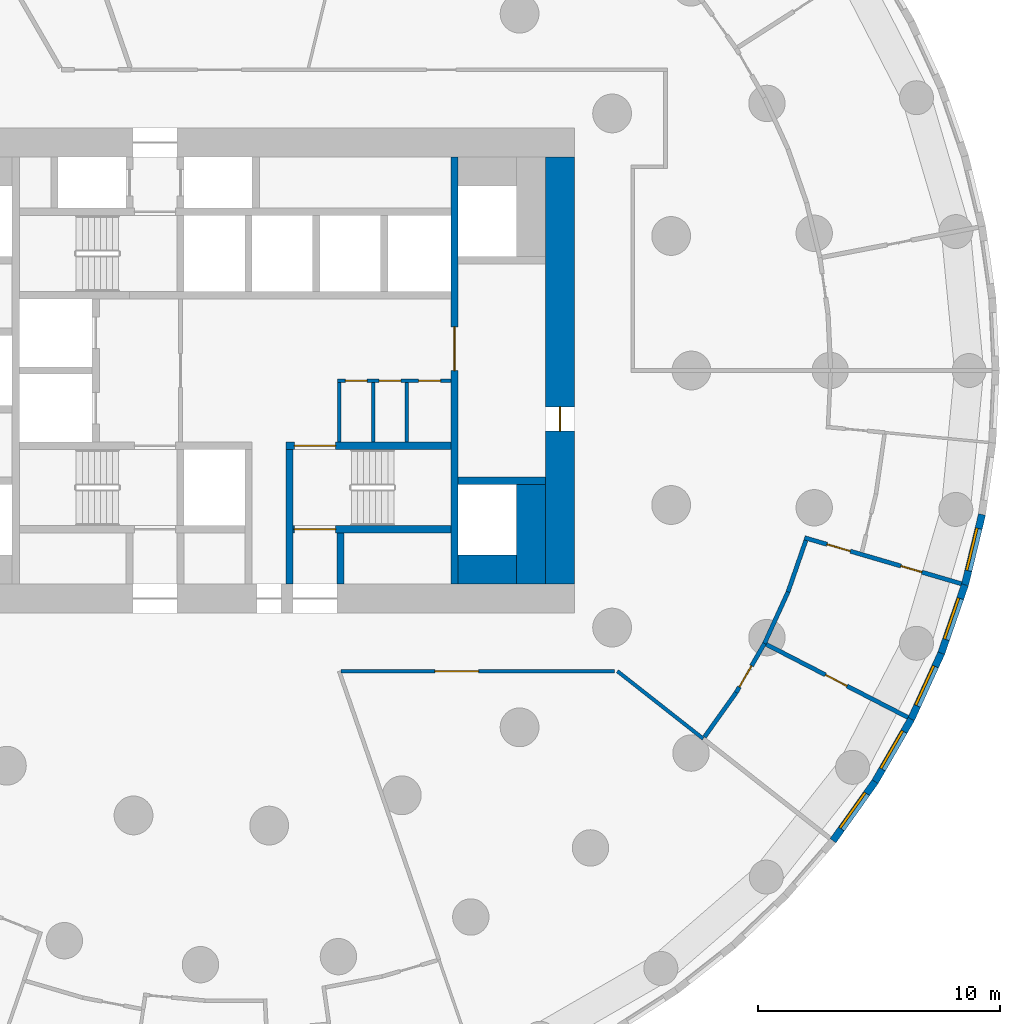
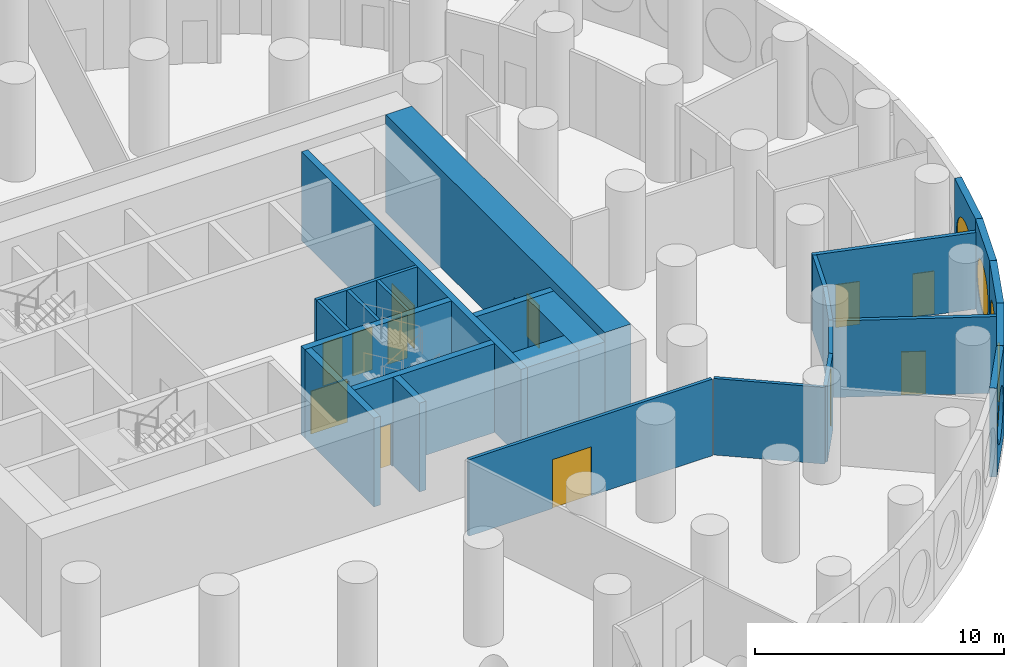
# One storey, part 5 of 12: 26 walls, 12 doors, 5 windows, 17 openings.
"""IFC4 building model written with IfcOpenShell, lengths in metres."""

from ifc_helpers import new_model, si_unit, direction, frame, frame_2d, origin, origin_2d, place, context, subcontext, project, spatial, rectangle, circle, extrude, material, layer, layer_set, type_object, element, fill, save


model = new_model("IFC4")

# Units and contexts
model_context = context("Model", 3, precision=1e-05, world=origin(), true_north=direction((0.0, 1.0)))
body_context = subcontext(model_context, "Body", "Model", "MODEL_VIEW")
ifc_project = project(units=[si_unit("LENGTHUNIT", "METRE"), si_unit("AREAUNIT", "SQUARE_METRE"), si_unit("VOLUMEUNIT", "CUBIC_METRE"), si_unit("PLANEANGLEUNIT", "RADIAN"), si_unit("MASSUNIT", "GRAM", prefix="KILO")], contexts=[model_context])

# Site, building, storey
site_placement = place(None, origin())
site = spatial("IfcSite", under=ifc_project, at=site_placement, CompositionType="ELEMENT")
building_placement = place(site_placement, origin())
building = spatial("IfcBuilding", under=site, at=building_placement, Name="Tracery Tower", CompositionType="ELEMENT")
storey_placement = place(building_placement, frame((0.0, 0.0, 13.800048828125)))
storey = spatial("IfcBuildingStorey", under=building, at=storey_placement, Name="L02", CompositionType="ELEMENT", Elevation=13.800048828125)

# Wall
ifc_material_1 = material(Name="Plasterboard on steel studs", Category="steel")
ifc_layer_1 = layer(ifc_material_1, 0.175048828125)
ifc_layer_set_1 = layer_set([ifc_layer_1], Name="Compartment partition 175")
wall_type_1 = type_object("IfcWallType", Name="Compartment partition 175", PredefinedType="PARTITIONING", material=ifc_layer_set_1)
wall_1_placement = place(storey_placement, frame((19.361572265625, -15.11474609375, 0.0), z_axis=(0.0, 0.0, 1.0), x_axis=(0.580026485713, 0.814597615925, 0.0)))
element("IfcWall", 1, at=wall_1_placement, inside=storey, type_object=wall_type_1, Name="Compartment partition 175", PredefinedType="PARTITIONING", context=body_context, shape_type="SweptSolid", body=[
    extrude(rectangle(XDim=2.250244140625, YDim=0.175048828125, at=frame_2d((1.125, 0.0))), origin(), (0.0, 0.0, 1.0), 3.75),
])

# Wall, opening, door
wall_2_placement = place(storey_placement, frame((21.835693359375, -11.257080078125, 0.0), z_axis=(0.0, 0.0, 1.0), x_axis=(-0.500002679963, -0.866023856502, 0.0)))
wall_2 = element("IfcWall", 2, at=wall_2_placement, inside=storey, type_object=wall_type_1, Name="Compartment partition 175", PredefinedType="PARTITIONING", context=body_context, shape_type="SweptSolid", body=[
    extrude(rectangle(XDim=2.337890625, YDim=0.175048828125, at=frame_2d((1.1689453125, 0.0))), origin(), (0.0, 0.0, 1.0), 3.75),
])
opening_1_placement = place(wall_2_placement, frame((1.069091796875, 0.0, 0.0)))
opening_1 = element("IfcOpeningElement", 3, at=opening_1_placement, cuts=wall_2, Name="Opening SB-L02-31", PredefinedType="OPENING", context=body_context, shape_type="SweptSolid", body=[
    extrude(rectangle(XDim=1.0, YDim=2.10009765625, at=frame_2d((0.5, 1.050048828125))), frame((0.0, 0.08740234375, 0.0), z_axis=(0.0, -1.0, 0.0), x_axis=(1.0, 0.0, 0.0)), (0.0, 0.0, 1.0), 0.175048828125),
])
ifc_material_2 = material(Name="Steel fire door", Category="steel")
door_type_1 = type_object("IfcDoorType", Name="Kitchen door 1000", OperationType="NOTDEFINED", PredefinedType="DOOR", material=ifc_material_2)
door_1_placement = place(opening_1_placement, origin())
door_1 = element("IfcDoor", 4, at=door_1_placement, inside=storey, type_object=door_type_1, Name="Kitchen door 1000", OperationType="SINGLE_SWING_RIGHT", OverallHeight=2.10009765625, OverallWidth=1.0, PredefinedType="DOOR", context=body_context, shape_type="SweptSolid", body=[
    extrude(rectangle(XDim=1.0, YDim=2.10009765625, at=frame_2d((0.5, 1.050048828125))), frame((0.0, 0.02490234375, 0.0), z_axis=(0.0, -1.0, 0.0), x_axis=(1.0, 0.0, 0.0)), (0.0, 0.0, 1.0), 0.050048828125),
])
fill(opening_1, door_1)

# Walls
wall_3_placement = place(storey_placement, frame((21.835693359375, -11.257080078125, 0.0), z_axis=(0.0, 0.0, 1.0), x_axis=(0.415438886862, 0.909621092149, 0.0)))
element("IfcWall", 5, at=wall_3_placement, inside=storey, type_object=wall_type_1, Name="Compartment partition 175", PredefinedType="PARTITIONING", context=body_context, shape_type="SweptSolid", body=[
    extrude(rectangle(XDim=2.337646484375, YDim=0.175048828125, at=frame_2d((1.1689453125, 0.0))), origin(), (0.0, 0.0, 1.0), 3.75),
])
wall_4_placement = place(storey_placement, frame((22.806884765625, -9.130615234375, 0.0), z_axis=(0.0, 0.0, 1.0), x_axis=(0.327077029882, 0.944997680697, 0.0)))
element("IfcWall", 6, at=wall_4_placement, inside=storey, type_object=wall_type_1, Name="Compartment partition 175", PredefinedType="PARTITIONING", context=body_context, shape_type="SweptSolid", body=[
    extrude(rectangle(XDim=2.25048828125, YDim=0.175048828125, at=frame_2d((1.125244140625, 0.0))), origin(), (0.0, 0.0, 1.0), 3.75),
])

# Wall, opening, door
wall_5_placement = place(storey_placement, frame((27.753173828125, -14.307861328125, 0.0), z_axis=(0.0, 0.0, 1.0), x_axis=(-0.888814046661, 0.458268033424, 0.0)))
wall_5 = element("IfcWall", 7, at=wall_5_placement, inside=storey, type_object=wall_type_1, Name="Compartment partition 175", PredefinedType="PARTITIONING", context=body_context, shape_type="SweptSolid", body=[
    extrude(rectangle(XDim=6.56982421875, YDim=0.175048828125, at=frame_2d((3.284912109375, 0.0))), origin(), (0.0, 0.0, 1.0), 3.75),
])
opening_2_placement = place(wall_5_placement, frame((2.828857421875, 0.0, 0.0)))
opening_2 = element("IfcOpeningElement", 8, at=opening_2_placement, cuts=wall_5, Name="Opening SB-L02-35", PredefinedType="OPENING", context=body_context, shape_type="SweptSolid", body=[
    extrude(rectangle(XDim=1.0, YDim=2.10009765625, at=frame_2d((0.5, 1.050048828125))), frame((0.0, 0.08740234375, 0.0), z_axis=(0.0, -1.0, 0.0), x_axis=(1.0, 0.0, 0.0)), (0.0, 0.0, 1.0), 0.175048828125),
])
door_2_placement = place(opening_2_placement, origin())
door_2 = element("IfcDoor", 9, at=door_2_placement, inside=storey, type_object=door_type_1, Name="Kitchen door 1000", OperationType="SINGLE_SWING_LEFT", OverallHeight=2.10009765625, OverallWidth=1.0, PredefinedType="DOOR", context=body_context, shape_type="SweptSolid", body=[
    extrude(rectangle(XDim=1.0, YDim=2.10009765625, at=frame_2d((0.5, 1.050048828125))), frame((0.0, 0.02490234375, 0.0), z_axis=(0.0, -1.0, 0.0), x_axis=(1.0, 0.0, 0.0)), (0.0, 0.0, 1.0), 0.050048828125),
])
fill(opening_2, door_2)

# Wall, openings, doors
wall_6_placement = place(storey_placement, frame((29.95947265625, -8.796875, 0.0), z_axis=(0.0, 0.0, 1.0), x_axis=(-0.959490475678, 0.281741063891, 0.0)))
wall_6 = element("IfcWall", 10, at=wall_6_placement, inside=storey, type_object=wall_type_1, Name="Compartment partition 175", PredefinedType="PARTITIONING", context=body_context, shape_type="SweptSolid", body=[
    extrude(rectangle(XDim=6.7451171875, YDim=0.175048828125, at=frame_2d((3.37255859375, 0.0))), origin(), (0.0, 0.0, 1.0), 3.75),
])
opening_3_placement = place(wall_6_placement, frame((4.78125, 0.0, 0.0)))
opening_3 = element("IfcOpeningElement", 11, at=opening_3_placement, cuts=wall_6, Name="Opening SB-L02-32", PredefinedType="OPENING", context=body_context, shape_type="SweptSolid", body=[
    extrude(rectangle(XDim=1.0, YDim=2.10009765625, at=frame_2d((0.5, 1.050048828125))), frame((0.0, 0.08740234375, 0.0), z_axis=(0.0, -1.0, 0.0), x_axis=(1.0, 0.0, 0.0)), (0.0, 0.0, 1.0), 0.175048828125),
])
opening_4_placement = place(wall_6_placement, frame((1.702392578125, 0.0, 0.0)))
opening_4 = element("IfcOpeningElement", 12, at=opening_4_placement, cuts=wall_6, Name="Opening SB-L02-36", PredefinedType="OPENING", context=body_context, shape_type="SweptSolid", body=[
    extrude(rectangle(XDim=0.89990234375, YDim=2.10009765625, at=frame_2d((0.449951171875, 1.050048828125))), frame((0.0, 0.08740234375, 0.0), z_axis=(0.0, -1.0, 0.0), x_axis=(1.0, 0.0, 0.0)), (0.0, 0.0, 1.0), 0.175048828125),
])
door_3_placement = place(opening_3_placement, origin())
door_3 = element("IfcDoor", 13, at=door_3_placement, inside=storey, type_object=door_type_1, Name="Kitchen door 1000", OperationType="SINGLE_SWING_LEFT", OverallHeight=2.10009765625, OverallWidth=1.0, PredefinedType="DOOR", context=body_context, shape_type="SweptSolid", body=[
    extrude(rectangle(XDim=1.0, YDim=2.10009765625, at=frame_2d((0.5, 1.050048828125))), frame((0.0, 0.02490234375, 0.0), z_axis=(0.0, -1.0, 0.0), x_axis=(1.0, 0.0, 0.0)), (0.0, 0.0, 1.0), 0.050048828125),
])
fill(opening_3, door_3)
ifc_material_3 = material(Name="Steel fire door", Category="steel")
door_type_2 = type_object("IfcDoorType", Name="Store door 900", OperationType="NOTDEFINED", PredefinedType="DOOR", material=ifc_material_3)
door_4_placement = place(opening_4_placement, origin())
door_4 = element("IfcDoor", 14, at=door_4_placement, inside=storey, type_object=door_type_2, Name="Store door 900", OperationType="SINGLE_SWING_LEFT", OverallHeight=2.10009765625, OverallWidth=0.89990234375, PredefinedType="DOOR", context=body_context, shape_type="SweptSolid", body=[
    extrude(rectangle(XDim=0.89990234375, YDim=2.10009765625, at=frame_2d((0.449951171875, 1.050048828125))), frame((0.0, 0.02490234375, 0.0), z_axis=(0.0, -1.0, 0.0), x_axis=(1.0, 0.0, 0.0)), (0.0, 0.0, 1.0), 0.050048828125),
])
fill(opening_4, door_4)

# Wall
ifc_material_4 = material(Name="Plasterboard on steel studs", Category="steel")
ifc_layer_2 = layer(ifc_material_4, 0.14990234375)
ifc_layer_set_2 = layer_set([ifc_layer_2], Name="Core room partition 150")
wall_type_2 = type_object("IfcWallType", Name="Core room partition 150", PredefinedType="SOLIDWALL", material=ifc_layer_set_2)
wall_7_placement = place(storey_placement, frame((4.300048828125, -2.949951171875, 0.0), z_axis=(0.0, 0.0, 1.0), x_axis=(0.0, 1.0, 0.0)))
element("IfcWall", 15, at=wall_7_placement, inside=storey, type_object=wall_type_2, Name="L02 slot W", PredefinedType="SOLIDWALL", context=body_context, shape_type="SweptSolid", body=[
    extrude(rectangle(XDim=2.449951171875, YDim=0.14990234375, at=frame_2d((1.22509765625, 0.0))), origin(), (0.0, 0.0, 1.0), 4.349853515625),
])

# Wall, openings, doors
wall_8_placement = place(storey_placement, frame((4.22509765625, -0.425048828125, 0.0), z_axis=(0.0, 0.0, 1.0), x_axis=(1.0, 0.0, 0.0)))
wall_8 = element("IfcWall", 16, at=wall_8_placement, inside=storey, type_object=wall_type_2, Name="L02 slot N", PredefinedType="SOLIDWALL", context=body_context, shape_type="SweptSolid", body=[
    extrude(rectangle(XDim=4.6748046875, YDim=0.14990234375, at=frame_2d((2.33740234375, 0.0))), origin(), (0.0, 0.0, 1.0), 4.349853515625),
])
opening_5_placement = place(wall_8_placement, frame((0.324951171875, 0.0, 0.0)))
opening_5 = element("IfcOpeningElement", 17, at=opening_5_placement, cuts=wall_8, Name="Opening KD27", PredefinedType="OPENING", context=body_context, shape_type="SweptSolid", body=[
    extrude(rectangle(XDim=0.89990234375, YDim=2.10009765625, at=frame_2d((0.449951171875, 1.050048828125))), frame((0.0, 0.074951171875, 0.0), z_axis=(0.0, -1.0, 0.0), x_axis=(1.0, 0.0, 0.0)), (0.0, 0.0, 1.0), 0.14990234375),
])
opening_6_placement = place(wall_8_placement, frame((1.71240234375, 0.0, 0.0)))
opening_6 = element("IfcOpeningElement", 18, at=opening_6_placement, cuts=wall_8, Name="Opening KD31", PredefinedType="OPENING", context=body_context, shape_type="SweptSolid", body=[
    extrude(rectangle(XDim=0.89990234375, YDim=2.10009765625, at=frame_2d((0.449951171875, 1.050048828125))), frame((0.0, 0.074951171875, 0.0), z_axis=(0.0, -1.0, 0.0), x_axis=(1.0, 0.0, 0.0)), (0.0, 0.0, 1.0), 0.14990234375),
])
opening_7_placement = place(wall_8_placement, frame((3.35009765625, 0.0, 0.0)))
opening_7 = element("IfcOpeningElement", 19, at=opening_7_placement, cuts=wall_8, Name="Opening KD22", PredefinedType="OPENING", context=body_context, shape_type="SweptSolid", body=[
    extrude(rectangle(XDim=0.89990234375, YDim=2.10009765625, at=frame_2d((0.449951171875, 1.050048828125))), frame((0.0, 0.074951171875, 0.0), z_axis=(0.0, -1.0, 0.0), x_axis=(1.0, 0.0, 0.0)), (0.0, 0.0, 1.0), 0.14990234375),
])
ifc_material_5 = material(Name="Timber door leaf", Category="wood")
door_type_3 = type_object("IfcDoorType", Name="Core WC door 900", OperationType="NOTDEFINED", PredefinedType="DOOR", material=ifc_material_5)
door_5_placement = place(opening_7_placement, origin())
door_5 = element("IfcDoor", 20, at=door_5_placement, inside=storey, type_object=door_type_3, Name="Core door", OperationType="SINGLE_SWING_RIGHT", OverallHeight=2.10009765625, OverallWidth=0.89990234375, PredefinedType="DOOR", context=body_context, shape_type="SweptSolid", body=[
    extrude(rectangle(XDim=0.89990234375, YDim=2.10009765625, at=frame_2d((0.449951171875, 1.050048828125))), frame((0.0, 0.02490234375, 0.0), z_axis=(0.0, -1.0, 0.0), x_axis=(1.0, 0.0, 0.0)), (0.0, 0.0, 1.0), 0.050048828125),
])
fill(opening_7, door_5)
ifc_material_6 = material(Name="Steel fire door", Category="steel")
door_type_4 = type_object("IfcDoorType", Name="Core riser door 900", OperationType="NOTDEFINED", PredefinedType="DOOR", material=ifc_material_6)
door_6_placement = place(opening_6_placement, origin())
door_6 = element("IfcDoor", 21, at=door_6_placement, inside=storey, type_object=door_type_4, Name="Core door", OperationType="SINGLE_SWING_LEFT", OverallHeight=2.10009765625, OverallWidth=0.89990234375, PredefinedType="DOOR", context=body_context, shape_type="SweptSolid", body=[
    extrude(rectangle(XDim=0.89990234375, YDim=2.10009765625, at=frame_2d((0.449951171875, 1.050048828125))), frame((0.0, 0.02490234375, 0.0), z_axis=(0.0, -1.0, 0.0), x_axis=(1.0, 0.0, 0.0)), (0.0, 0.0, 1.0), 0.050048828125),
])
fill(opening_6, door_6)
ifc_material_7 = material(Name="Timber door leaf", Category="wood")
door_type_5 = type_object("IfcDoorType", Name="Core store door 900", OperationType="NOTDEFINED", PredefinedType="DOOR", material=ifc_material_7)
door_7_placement = place(opening_5_placement, origin())
door_7 = element("IfcDoor", 22, at=door_7_placement, inside=storey, type_object=door_type_5, Name="Core door", OperationType="SINGLE_SWING_RIGHT", OverallHeight=2.10009765625, OverallWidth=0.89990234375, PredefinedType="DOOR", context=body_context, shape_type="SweptSolid", body=[
    extrude(rectangle(XDim=0.89990234375, YDim=2.10009765625, at=frame_2d((0.449951171875, 1.050048828125))), frame((0.0, 0.02490234375, 0.0), z_axis=(0.0, -1.0, 0.0), x_axis=(1.0, 0.0, 0.0)), (0.0, 0.0, 1.0), 0.050048828125),
])
fill(opening_5, door_7)

# Walls
for number, where, z_axis, x_axis, name in (
    (23, (5.699951171875, -2.949951171875, 0.0), (0.0, 0.0, 1.0), (0.0, 1.0, 0.0), "L02 slot sep 1"),
    (24, (7.074951171875, -2.949951171875, 0.0), (0.0, 0.0, 1.0), (0.0, 1.0, 0.0), "L02 slot sep 2"),
):
    element("IfcWall", number, at=place(storey_placement, frame(where, z_axis=z_axis, x_axis=x_axis)), inside=storey, type_object=wall_type_2, Name=name, PredefinedType="SOLIDWALL", context=body_context, shape_type="SweptSolid", body=[
        extrude(rectangle(XDim=2.449951171875, YDim=0.14990234375, at=frame_2d((1.22509765625, 0.0))), origin(), (0.0, 0.0, 1.0), 4.349853515625),
    ])
ifc_material_8 = material(Name="Concrete C60/75", Category="concrete")
ifc_layer_3 = layer(ifc_material_8, 1.199951171875)
ifc_layer_set_3 = layer_set([ifc_layer_3], Name="Core strip wall 1200 C60")
wall_type_3 = type_object("IfcWallType", Name="Core strip wall 1200 C60", PredefinedType="SOLIDWALL", material=ifc_layer_set_3)
wall_9_placement = place(storey_placement, frame((12.199951171875, -8.800048828125, 0.0), z_axis=(0.0, 0.0, 1.0), x_axis=(0.0, 1.0, 0.0)))
element("IfcWall", 25, at=wall_9_placement, inside=storey, type_object=wall_type_3, Name="L02 wing strip +1 -9.4", PredefinedType="SOLIDWALL", context=body_context, shape_type="SweptSolid", body=[
    extrude(rectangle(XDim=4.10009765625, YDim=1.199951171875, at=frame_2d((2.050048828125, 0.0))), origin(), (0.0, 0.0, 1.0), 4.349853515625),
])
wall_10_placement = place(storey_placement, frame((9.199951171875, -8.199951171875, 0.0), z_axis=(0.0, 0.0, 1.0), x_axis=(1.0, 0.0, 0.0)))
element("IfcWall", 26, at=wall_10_placement, inside=storey, type_object=wall_type_3, Name="L02 wing corner +1 -8.2", PredefinedType="SOLIDWALL", context=body_context, shape_type="SweptSolid", body=[
    extrude(rectangle(XDim=2.400146484375, YDim=1.199951171875, at=frame_2d((1.2001953125, 0.0))), origin(), (0.0, 0.0, 1.0), 4.349853515625),
])

# Wall, opening, door
ifc_material_9 = material(Name="Concrete C60/75", Category="concrete")
ifc_layer_4 = layer(ifc_material_9, 1.199951171875)
ifc_layer_set_4 = layer_set([ifc_layer_4], Name="Core wall 1200 C60")
wall_type_4 = type_object("IfcWallType", Name="Core wall 1200 C60", PredefinedType="SOLIDWALL", material=ifc_layer_set_4)
wall_11_placement = place(storey_placement, frame((13.39990234375, -8.800048828125, 0.0), z_axis=(0.0, 0.0, 1.0), x_axis=(0.0, 1.0, 0.0)))
wall_11 = element("IfcWall", 27, at=wall_11_placement, inside=storey, type_object=wall_type_4, Name="L02 outer E", PredefinedType="SOLIDWALL", context=body_context, shape_type="SweptSolid", body=[
    extrude(rectangle(XDim=17.60009765625, YDim=1.199951171875, at=frame_2d((8.800048828125, 0.0))), origin(), (0.0, 0.0, 1.0), 4.800048828125),
])
opening_8_placement = place(wall_11_placement, frame((6.300048828125, 0.0, 0.0)))
opening_8 = element("IfcOpeningElement", 28, at=opening_8_placement, cuts=wall_11, Name="Opening KD18", PredefinedType="OPENING", context=body_context, shape_type="SweptSolid", body=[
    extrude(rectangle(XDim=1.0, YDim=2.10009765625, at=frame_2d((0.5, 1.050048828125))), frame((0.0, 0.60009765625, 0.0), z_axis=(0.0, -1.0, 0.0), x_axis=(1.0, 0.0, 0.0)), (0.0, 0.0, 1.0), 1.199951171875),
])
ifc_material_10 = material(Name="Steel fire door", Category="steel")
door_type_6 = type_object("IfcDoorType", Name="Core exit door 1000", OperationType="NOTDEFINED", PredefinedType="DOOR", material=ifc_material_10)
door_8_placement = place(opening_8_placement, origin())
door_8 = element("IfcDoor", 29, at=door_8_placement, inside=storey, type_object=door_type_6, Name="Core exit door", OperationType="DOUBLE_DOOR_SINGLE_SWING", OverallHeight=2.10009765625, OverallWidth=1.0, PredefinedType="DOOR", context=body_context, shape_type="SweptSolid", body=[
    extrude(rectangle(XDim=1.0, YDim=2.10009765625, at=frame_2d((0.5, 1.050048828125))), frame((0.0, 0.02490234375, 0.0), z_axis=(0.0, -1.0, 0.0), x_axis=(1.0, 0.0, 0.0)), (0.0, 0.0, 1.0), 0.050048828125),
])
fill(opening_8, door_8)

ifc_material_11 = material(Name="Plasterboard on steel studs", Category="steel")
ifc_layer_5 = layer(ifc_material_11, 0.14990234375)
ifc_layer_set_5 = layer_set([ifc_layer_5], Name="Corridor partition 150")
wall_type_5 = type_object("IfcWallType", Name="Corridor partition 150", PredefinedType="PARTITIONING", material=ifc_layer_set_5)
wall_12_placement = place(storey_placement, frame((15.646484375, -12.39990234375, 0.0), z_axis=(0.0, 0.0, 1.0), x_axis=(-1.0, 0.0, 0.0)))
wall_12 = element("IfcWall", 30, at=wall_12_placement, inside=storey, type_object=wall_type_5, Name="Corridor partition 150", PredefinedType="PARTITIONING", context=body_context, shape_type="SweptSolid", body=[
    extrude(rectangle(XDim=11.275390625, YDim=0.14990234375, at=frame_2d((5.6376953125, 0.0))), origin(), (0.0, 0.0, 1.0), 3.75),
])
opening_9_placement = place(wall_12_placement, frame((5.6005859375, 0.0, 0.0)))
opening_9 = element("IfcOpeningElement", 31, at=opening_9_placement, cuts=wall_12, Name="Opening SB-L02-30", PredefinedType="OPENING", context=body_context, shape_type="SweptSolid", body=[
    extrude(rectangle(XDim=1.800048828125, YDim=2.39990234375, at=frame_2d((0.89990234375, 1.199951171875))), frame((0.0, 0.074951171875, 0.0), z_axis=(0.0, -1.0, 0.0), x_axis=(1.0, 0.0, 0.0)), (0.0, 0.0, 1.0), 0.14990234375),
])
ifc_material_12 = material(Name="Glazed aluminium door", Category="aluminium")
door_type_7 = type_object("IfcDoorType", Name="Hall double door 1800", OperationType="DOUBLE_DOOR_SINGLE_SWING", PredefinedType="DOOR", material=ifc_material_12)
door_9_placement = place(opening_9_placement, origin())
door_9 = element("IfcDoor", 32, at=door_9_placement, inside=storey, type_object=door_type_7, Name="Hall double door 1800", OperationType="DOUBLE_DOOR_SINGLE_SWING", OverallHeight=2.39990234375, OverallWidth=1.800048828125, PredefinedType="DOOR", context=body_context, shape_type="SweptSolid", body=[
    extrude(rectangle(XDim=1.800048828125, YDim=2.39990234375, at=frame_2d((0.89990234375, 1.199951171875))), frame((0.0, 0.02490234375, 0.0), z_axis=(0.0, -1.0, 0.0), x_axis=(1.0, 0.0, 0.0)), (0.0, 0.0, 1.0), 0.050048828125),
])
fill(opening_9, door_9)

# Wall
wall_13_placement = place(storey_placement, frame((19.310791015625, -15.18603515625, 0.0), z_axis=(0.0, 0.0, 1.0), x_axis=(-0.786062647167, 0.618146839131, 0.0)))
element("IfcWall", 33, at=wall_13_placement, inside=storey, type_object=wall_type_5, Name="Corridor partition 150", PredefinedType="PARTITIONING", context=body_context, shape_type="SweptSolid", body=[
    extrude(rectangle(XDim=4.50732421875, YDim=0.14990234375, at=frame_2d((2.253662109375, 0.0))), origin(), (0.0, 0.0, 1.0), 3.75),
])

# Wall, opening, window
ifc_material_13 = material(Name="Precast concrete C50/60", Category="concrete")
ifc_layer_6 = layer(ifc_material_13, 0.300048828125)
ifc_layer_set_6 = layer_set([ifc_layer_6], Name="Facade panel 3000 x 4350")
wall_type_6 = type_object("IfcWallType", Name="Facade panel 3000 x 4350", PredefinedType="SOLIDWALL", material=ifc_layer_set_6)
wall_14_placement = place(storey_placement, frame((24.661865234375, -19.394287109375, 0.0), z_axis=(0.0, 0.0, 1.0), x_axis=(0.580100533892, 0.814544885551, 0.0)))
wall_14 = element("IfcWall", 34, at=wall_14_placement, inside=storey, type_object=wall_type_6, Name="Facade panel 60 at L02", PredefinedType="SOLIDWALL", context=body_context, shape_type="SweptSolid", body=[
    extrude(rectangle(XDim=2.985595703125, YDim=0.300048828125, at=frame_2d((1.49267578125, 0.0))), origin(), (0.0, 0.0, 1.0), 4.349853515625),
])
opening_10_placement = place(wall_14_placement, frame((1.492919921875, 0.0, 2.0)))
opening_10 = element("IfcOpeningElement", 35, at=opening_10_placement, cuts=wall_14, Name="Opening WN2", PredefinedType="OPENING", context=body_context, shape_type="SweptSolid", body=[
    extrude(circle(Radius=1.199951171875, at=origin_2d()), frame((0.0, 0.159912109375, 0.0), z_axis=(0.0, -1.0, 0.0), x_axis=(1.0, 0.0, 0.0)), (0.0, 0.0, 1.0), 0.320068359375),
])
ifc_material_14 = material(Name="Aluminium frame with tinted double glazing", Category="aluminium")
window_type = type_object("IfcWindowType", Name="Round window 2400", PartitioningType="SINGLE_PANEL", PredefinedType="WINDOW", material=ifc_material_14)
window_1_placement = place(opening_10_placement, origin())
window_1 = element("IfcWindow", 36, at=window_1_placement, inside=storey, type_object=window_type, Name="Round window 60 at L02", OverallHeight=2.39990234375, OverallWidth=2.39990234375, PartitioningType="SINGLE_PANEL", PredefinedType="WINDOW", context=body_context, shape_type="SweptSolid", body=[
    extrude(circle(Radius=1.199951171875, at=origin_2d()), frame((0.0, 0.1201171875, 0.0), z_axis=(0.0, -1.0, 0.0), x_axis=(1.0, 0.0, 0.0)), (0.0, 0.0, 1.0), 0.10009765625),
])
fill(opening_10, window_1)

wall_15_placement = place(storey_placement, frame((26.393798828125, -16.96240234375, 0.0), z_axis=(0.0, 0.0, 1.0), x_axis=(0.500017373705, 0.866015372839, 0.0)))
wall_15 = element("IfcWall", 37, at=wall_15_placement, inside=storey, type_object=wall_type_6, Name="Facade panel 61 at L02", PredefinedType="SOLIDWALL", context=body_context, shape_type="SweptSolid", body=[
    extrude(rectangle(XDim=2.98583984375, YDim=0.300048828125, at=frame_2d((1.492919921875, 0.0))), origin(), (0.0, 0.0, 1.0), 4.349853515625),
])
opening_11_placement = place(wall_15_placement, frame((1.492919921875, 0.0, 2.0)))
opening_11 = element("IfcOpeningElement", 38, at=opening_11_placement, cuts=wall_15, Name="Opening WN2", PredefinedType="OPENING", context=body_context, shape_type="SweptSolid", body=[
    extrude(circle(Radius=1.199951171875, at=origin_2d()), frame((0.0, 0.159912109375, 0.0), z_axis=(0.0, -1.0, 0.0), x_axis=(1.0, 0.0, 0.0)), (0.0, 0.0, 1.0), 0.320068359375),
])
window_2_placement = place(opening_11_placement, origin())
window_2 = element("IfcWindow", 39, at=window_2_placement, inside=storey, type_object=window_type, Name="Round window 61 at L02", OverallHeight=2.39990234375, OverallWidth=2.39990234375, PartitioningType="SINGLE_PANEL", PredefinedType="WINDOW", context=body_context, shape_type="SweptSolid", body=[
    extrude(circle(Radius=1.199951171875, at=origin_2d()), frame((0.0, 0.1201171875, 0.0), z_axis=(0.0, -1.0, 0.0), x_axis=(1.0, 0.0, 0.0)), (0.0, 0.0, 1.0), 0.10009765625),
])
fill(opening_11, window_2)

wall_16_placement = place(storey_placement, frame((27.88671875, -14.376708984375, 0.0), z_axis=(0.0, 0.0, 1.0), x_axis=(0.415373250944, 0.909651066289, 0.0)))
wall_16 = element("IfcWall", 40, at=wall_16_placement, inside=storey, type_object=wall_type_6, Name="Facade panel 62 at L02", PredefinedType="SOLIDWALL", context=body_context, shape_type="SweptSolid", body=[
    extrude(rectangle(XDim=2.98583984375, YDim=0.300048828125, at=frame_2d((1.492919921875, 0.0))), origin(), (0.0, 0.0, 1.0), 4.349853515625),
])
opening_12_placement = place(wall_16_placement, frame((1.492919921875, 0.0, 2.0)))
opening_12 = element("IfcOpeningElement", 41, at=opening_12_placement, cuts=wall_16, Name="Opening WN2", PredefinedType="OPENING", context=body_context, shape_type="SweptSolid", body=[
    extrude(circle(Radius=1.199951171875, at=origin_2d()), frame((0.0, 0.159912109375, 0.0), z_axis=(0.0, -1.0, 0.0), x_axis=(1.0, 0.0, 0.0)), (0.0, 0.0, 1.0), 0.320068359375),
])
window_3_placement = place(opening_12_placement, origin())
window_3 = element("IfcWindow", 42, at=window_3_placement, inside=storey, type_object=window_type, Name="Round window 62 at L02", OverallHeight=2.39990234375, OverallWidth=2.39990234375, PartitioningType="SINGLE_PANEL", PredefinedType="WINDOW", context=body_context, shape_type="SweptSolid", body=[
    extrude(circle(Radius=1.199951171875, at=origin_2d()), frame((0.0, 0.1201171875, 0.0), z_axis=(0.0, -1.0, 0.0), x_axis=(1.0, 0.0, 0.0)), (0.0, 0.0, 1.0), 0.10009765625),
])
fill(opening_12, window_3)

wall_17_placement = place(storey_placement, frame((29.126953125, -11.66064453125, 0.0), z_axis=(0.0, 0.0, 1.0), x_axis=(0.327074054052, 0.944998710669, 0.0)))
wall_17 = element("IfcWall", 43, at=wall_17_placement, inside=storey, type_object=wall_type_6, Name="Facade panel 63 at L02", PredefinedType="SOLIDWALL", context=body_context, shape_type="SweptSolid", body=[
    extrude(rectangle(XDim=2.98583984375, YDim=0.300048828125, at=frame_2d((1.492919921875, 0.0))), origin(), (0.0, 0.0, 1.0), 4.349853515625),
])
opening_13_placement = place(wall_17_placement, frame((1.492919921875, 0.0, 2.0)))
opening_13 = element("IfcOpeningElement", 44, at=opening_13_placement, cuts=wall_17, Name="Opening WN2", PredefinedType="OPENING", context=body_context, shape_type="SweptSolid", body=[
    extrude(circle(Radius=1.199951171875, at=origin_2d()), frame((0.0, 0.159912109375, 0.0), z_axis=(0.0, -1.0, 0.0), x_axis=(1.0, 0.0, 0.0)), (0.0, 0.0, 1.0), 0.320068359375),
])
window_4_placement = place(opening_13_placement, origin())
window_4 = element("IfcWindow", 45, at=window_4_placement, inside=storey, type_object=window_type, Name="Round window 63 at L02", OverallHeight=2.39990234375, OverallWidth=2.39990234375, PartitioningType="SINGLE_PANEL", PredefinedType="WINDOW", context=body_context, shape_type="SweptSolid", body=[
    extrude(circle(Radius=1.199951171875, at=origin_2d()), frame((0.0, 0.1201171875, 0.0), z_axis=(0.0, -1.0, 0.0), x_axis=(1.0, 0.0, 0.0)), (0.0, 0.0, 1.0), 0.10009765625),
])
fill(opening_13, window_4)

wall_18_placement = place(storey_placement, frame((30.103515625, -8.839111328125, 0.0), z_axis=(0.0, 0.0, 1.0), x_axis=(0.235756834479, 0.971812078026, 0.0)))
wall_18 = element("IfcWall", 46, at=wall_18_placement, inside=storey, type_object=wall_type_6, Name="Facade panel 64 at L02", PredefinedType="SOLIDWALL", context=body_context, shape_type="SweptSolid", body=[
    extrude(rectangle(XDim=2.985595703125, YDim=0.300048828125, at=frame_2d((1.49267578125, 0.0))), origin(), (0.0, 0.0, 1.0), 4.349853515625),
])
opening_14_placement = place(wall_18_placement, frame((1.492919921875, 0.0, 2.0)))
opening_14 = element("IfcOpeningElement", 47, at=opening_14_placement, cuts=wall_18, Name="Opening WN2", PredefinedType="OPENING", context=body_context, shape_type="SweptSolid", body=[
    extrude(circle(Radius=1.199951171875, at=origin_2d()), frame((0.0, 0.159912109375, 0.0), z_axis=(0.0, -1.0, 0.0), x_axis=(1.0, 0.0, 0.0)), (0.0, 0.0, 1.0), 0.320068359375),
])
window_5_placement = place(opening_14_placement, origin())
window_5 = element("IfcWindow", 48, at=window_5_placement, inside=storey, type_object=window_type, Name="Round window 64 at L02", OverallHeight=2.39990234375, OverallWidth=2.39990234375, PartitioningType="SINGLE_PANEL", PredefinedType="WINDOW", context=body_context, shape_type="SweptSolid", body=[
    extrude(circle(Radius=1.199951171875, at=origin_2d()), frame((0.0, 0.1201171875, 0.0), z_axis=(0.0, -1.0, 0.0), x_axis=(1.0, 0.0, 0.0)), (0.0, 0.0, 1.0), 0.10009765625),
])
fill(opening_14, window_5)

# Walls
ifc_material_15 = material(Name="Concrete C60/75", Category="concrete")
ifc_layer_7 = layer(ifc_material_15, 0.300048828125)
ifc_layer_set_7 = layer_set([ifc_layer_7], Name="Shaft wall 300 C60")
wall_type_7 = type_object("IfcWallType", Name="Shaft wall 300 C60", PredefinedType="SOLIDWALL", material=ifc_layer_set_7)
wall_19_placement = place(storey_placement, frame((4.35009765625, -8.800048828125, 0.0), z_axis=(0.0, 0.0, 1.0), x_axis=(0.0, 1.0, 0.0)))
element("IfcWall", 49, at=wall_19_placement, inside=storey, type_object=wall_type_7, Name="L02 band S +4.35", PredefinedType="SOLIDWALL", context=body_context, shape_type="SweptSolid", body=[
    extrude(rectangle(XDim=2.10009765625, YDim=0.300048828125, at=frame_2d((1.050048828125, 0.0))), origin(), (0.0, 0.0, 1.0), 4.349853515625),
])
wall_20_placement = place(storey_placement, frame((9.199951171875, -4.550048828125, 0.0), z_axis=(0.0, 0.0, 1.0), x_axis=(1.0, 0.0, 0.0)))
element("IfcWall", 50, at=wall_20_placement, inside=storey, type_object=wall_type_7, Name="L02 wing shaft wall +1 -4.55", PredefinedType="SOLIDWALL", context=body_context, shape_type="SweptSolid", body=[
    extrude(rectangle(XDim=3.60009765625, YDim=0.300048828125, at=frame_2d((1.800048828125, 0.0))), origin(), (0.0, 0.0, 1.0), 4.349853515625),
])

# Wall, opening, door
ifc_material_16 = material(Name="Concrete C60/75", Category="concrete")
ifc_layer_8 = layer(ifc_material_16, 0.300048828125)
ifc_layer_set_8 = layer_set([ifc_layer_8], Name="Stair wall 300 C60")
wall_type_8 = type_object("IfcWallType", Name="Stair wall 300 C60", PredefinedType="SOLIDWALL", material=ifc_layer_set_8)
wall_21_placement = place(storey_placement, frame((2.10009765625, -3.10009765625, 0.0), z_axis=(0.0, 0.0, 1.0), x_axis=(1.0, 0.0, 0.0)))
wall_21 = element("IfcWall", 51, at=wall_21_placement, inside=storey, type_object=wall_type_8, Name="L02 row S E", PredefinedType="SOLIDWALL", context=body_context, shape_type="SweptSolid", body=[
    extrude(rectangle(XDim=6.7998046875, YDim=0.300048828125, at=frame_2d((3.39990234375, 0.0))), origin(), (0.0, 0.0, 1.0), 4.349853515625),
])
opening_15_placement = place(wall_21_placement, frame((0.35009765625, 0.0, 0.0)))
opening_15 = element("IfcOpeningElement", 52, at=opening_15_placement, cuts=wall_21, Name="Opening KD3", PredefinedType="OPENING", context=body_context, shape_type="SweptSolid", body=[
    extrude(rectangle(XDim=1.699951171875, YDim=2.10009765625, at=frame_2d((0.85009765625, 1.050048828125))), frame((0.0, 0.14990234375, 0.0), z_axis=(0.0, -1.0, 0.0), x_axis=(1.0, 0.0, 0.0)), (0.0, 0.0, 1.0), 0.300048828125),
])
ifc_material_17 = material(Name="Steel fire door", Category="steel")
door_type_8 = type_object("IfcDoorType", Name="Core stair door 1700 double", OperationType="NOTDEFINED", PredefinedType="DOOR", material=ifc_material_17)
door_10_placement = place(opening_15_placement, origin())
door_10 = element("IfcDoor", 53, at=door_10_placement, inside=storey, type_object=door_type_8, Name="Stair door ST2", OperationType="DOUBLE_DOOR_SINGLE_SWING", OverallHeight=2.10009765625, OverallWidth=1.699951171875, PredefinedType="DOOR", context=body_context, shape_type="SweptSolid", body=[
    extrude(rectangle(XDim=1.699951171875, YDim=2.10009765625, at=frame_2d((0.85009765625, 1.050048828125))), frame((0.0, 0.02490234375, 0.0), z_axis=(0.0, -1.0, 0.0), x_axis=(1.0, 0.0, 0.0)), (0.0, 0.0, 1.0), 0.050048828125),
])
fill(opening_15, door_10)

# Wall
wall_22_placement = place(storey_placement, frame((2.25, -8.800048828125, 0.0), z_axis=(0.0, 0.0, 1.0), x_axis=(0.0, 1.0, 0.0)))
element("IfcWall", 54, at=wall_22_placement, inside=storey, type_object=wall_type_8, Name="L02 ST2 W", PredefinedType="SOLIDWALL", context=body_context, shape_type="SweptSolid", body=[
    extrude(rectangle(XDim=5.550048828125, YDim=0.300048828125, at=frame_2d((2.77490234375, 0.0))), origin(), (0.0, 0.0, 1.0), 4.349853515625),
])

# Wall, opening, door
wall_23_placement = place(storey_placement, frame((9.050048828125, -8.800048828125, 0.0), z_axis=(0.0, 0.0, 1.0), x_axis=(0.0, 1.0, 0.0)))
wall_23 = element("IfcWall", 55, at=wall_23_placement, inside=storey, type_object=wall_type_8, Name="L02 F wall +9", PredefinedType="SOLIDWALL", context=body_context, shape_type="SweptSolid", body=[
    extrude(rectangle(XDim=17.60009765625, YDim=0.300048828125, at=frame_2d((8.800048828125, 0.0))), origin(), (0.0, 0.0, 1.0), 4.349853515625),
])
opening_16_placement = place(wall_23_placement, frame((8.800048828125, 0.0, 0.0)))
opening_16 = element("IfcOpeningElement", 56, at=opening_16_placement, cuts=wall_23, Name="Opening KD13", PredefinedType="OPENING", context=body_context, shape_type="SweptSolid", body=[
    extrude(rectangle(XDim=1.800048828125, YDim=2.10009765625, at=frame_2d((0.89990234375, 1.050048828125))), frame((0.0, 0.14990234375, 0.0), z_axis=(0.0, -1.0, 0.0), x_axis=(1.0, 0.0, 0.0)), (0.0, 0.0, 1.0), 0.300048828125),
])
ifc_material_18 = material(Name="Steel fire door", Category="steel")
door_type_9 = type_object("IfcDoorType", Name="Core exit door 1800 double", OperationType="NOTDEFINED", PredefinedType="DOOR", material=ifc_material_18)
door_11_placement = place(opening_16_placement, origin())
door_11 = element("IfcDoor", 57, at=door_11_placement, inside=storey, type_object=door_type_9, Name="Core exit door", OperationType="DOUBLE_DOOR_SINGLE_SWING", OverallHeight=2.10009765625, OverallWidth=1.800048828125, PredefinedType="DOOR", context=body_context, shape_type="SweptSolid", body=[
    extrude(rectangle(XDim=1.800048828125, YDim=2.10009765625, at=frame_2d((0.89990234375, 1.050048828125))), frame((0.0, 0.02490234375, 0.0), z_axis=(0.0, -1.0, 0.0), x_axis=(1.0, 0.0, 0.0)), (0.0, 0.0, 1.0), 0.050048828125),
])
fill(opening_16, door_11)

wall_24_placement = place(storey_placement, frame((2.39990234375, -6.550048828125, 0.0), z_axis=(0.0, 0.0, 1.0), x_axis=(1.0, 0.0, 0.0)))
wall_24 = element("IfcWall", 58, at=wall_24_placement, inside=storey, type_object=wall_type_8, Name="L02 F S E", PredefinedType="SOLIDWALL", context=body_context, shape_type="SweptSolid", body=[
    extrude(rectangle(XDim=6.5, YDim=0.300048828125, at=frame_2d((3.25, 0.0))), origin(), (0.0, 0.0, 1.0), 4.349853515625),
])
opening_17_placement = place(wall_24_placement, frame((0.050048828125, 0.0, 0.0)))
opening_17 = element("IfcOpeningElement", 59, at=opening_17_placement, cuts=wall_24, Name="Opening KD3", PredefinedType="OPENING", context=body_context, shape_type="SweptSolid", body=[
    extrude(rectangle(XDim=1.699951171875, YDim=2.10009765625, at=frame_2d((0.85009765625, 1.050048828125))), frame((0.0, 0.14990234375, 0.0), z_axis=(0.0, -1.0, 0.0), x_axis=(1.0, 0.0, 0.0)), (0.0, 0.0, 1.0), 0.300048828125),
])
door_12_placement = place(opening_17_placement, origin())
door_12 = element("IfcDoor", 60, at=door_12_placement, inside=storey, type_object=door_type_8, Name="Stair door ST2 S", OperationType="DOUBLE_DOOR_SINGLE_SWING", OverallHeight=2.10009765625, OverallWidth=1.699951171875, PredefinedType="DOOR", context=body_context, shape_type="SweptSolid", body=[
    extrude(rectangle(XDim=1.699951171875, YDim=2.10009765625, at=frame_2d((0.85009765625, 1.050048828125))), frame((0.0, 0.02490234375, 0.0), z_axis=(0.0, -1.0, 0.0), x_axis=(1.0, 0.0, 0.0)), (0.0, 0.0, 1.0), 0.050048828125),
])
fill(opening_17, door_12)

save(model, "model.ifc")
